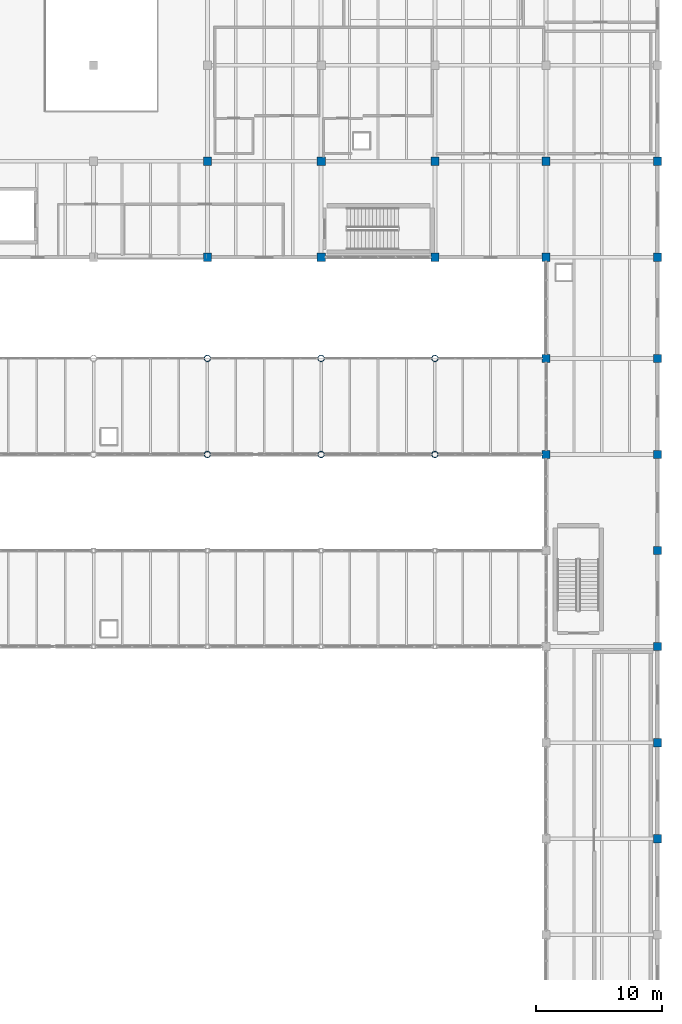
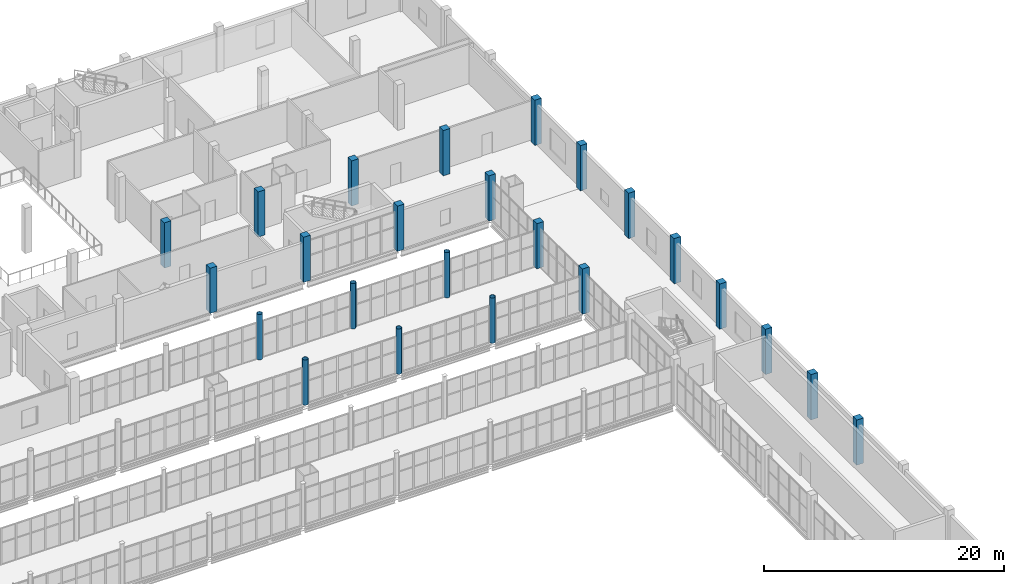
# One storey, part 15 of 172: 24 columns.
"""IFC4 building model written with IfcOpenShell, lengths in metres."""

from ifc_helpers import new_model, si_unit, direction, frame, origin, origin_2d, place, context, subcontext, project, spatial, rectangle, hollow_circle, extrude, material, material_profile, profile_set, type_object, element, save


model = new_model("IFC4")

# Units and contexts
model_context = context("Model", 3, precision=1e-05, world=origin(), true_north=direction((0.0, 1.0)))
body_context = subcontext(model_context, "Body", "Model", "MODEL_VIEW")
ifc_project = project(units=[si_unit("LENGTHUNIT", "METRE"), si_unit("AREAUNIT", "SQUARE_METRE"), si_unit("VOLUMEUNIT", "CUBIC_METRE"), si_unit("PLANEANGLEUNIT", "RADIAN"), si_unit("MASSUNIT", "GRAM", prefix="KILO")], contexts=[model_context])

# Site, building, storey
site_placement = place(None, origin())
site = spatial("IfcSite", under=ifc_project, at=site_placement, CompositionType="ELEMENT")
building_placement = place(site_placement, origin())
building = spatial("IfcBuilding", under=site, at=building_placement, Name="Shengluoqiao Park Theatre", CompositionType="ELEMENT")
storey_placement = place(building_placement, frame((0.0, 0.0, 5.39990234375)))
storey = spatial("IfcBuildingStorey", under=building, at=storey_placement, Name="L01", CompositionType="ELEMENT", Elevation=5.39990234375)

# Columns
ifc_material_1 = material(Name="Steel Q390", Category="steel")
ifc_material_profile_1 = material_profile(ifc_material_1, hollow_circle(Radius=0.25390625, WallThickness=0.02001953125, at=origin_2d()), Name="CHS 508x20")
ifc_profile_set_1 = profile_set([ifc_material_profile_1], Name="Steel Q390")
column_type_1 = type_object("IfcColumnType", Name="STR-COL-C-CHS508", PredefinedType="COLUMN", material=ifc_profile_set_1)
for number, where, z_axis, x_axis, name in (
    (1, (130.39990234375, 68.39990234375, 0.0), (0.0, 0.0, 1.0), (1.0, 0.0, 0.0), "L01 Column 0630"),
    (2, (130.39990234375, 76.0, 0.0), (0.0, 0.0, 1.0), (1.0, 0.0, 0.0), "L01 Column 0633"),
    (3, (139.39990234375, 68.39990234375, 0.0), (0.0, 0.0, 1.0), (1.0, 0.0, 0.0), "L01 Column 0675"),
    (4, (139.39990234375, 76.0, 0.0), (0.0, 0.0, 1.0), (1.0, 0.0, 0.0), "L01 Column 0678"),
    (5, (148.39990234375, 68.39990234375, 0.0), (0.0, 0.0, 1.0), (1.0, 0.0, 0.0), "L01 Column 0732"),
    (6, (148.39990234375, 76.0, 0.0), (0.0, 0.0, 1.0), (1.0, 0.0, 0.0), "L01 Column 0735"),
):
    element("IfcColumn", number, at=place(storey_placement, frame(where, z_axis=z_axis, x_axis=x_axis)), inside=storey, type_object=column_type_1, Name=name, PredefinedType="COLUMN", context=body_context, shape_type="SweptSolid", body=[
        extrude(hollow_circle(Radius=0.25390625, WallThickness=0.02001953125, at=origin_2d()), origin(), (0.0, 0.0, 1.0), 4.60009765625),
    ])
ifc_material_2 = material(Name="Concrete C40", Category="concrete")
ifc_material_profile_2 = material_profile(ifc_material_2, rectangle(XDim=0.64990234375, YDim=0.64990234375, at=origin_2d()), Name="RC 650x650")
ifc_profile_set_2 = profile_set([ifc_material_profile_2], Name="Concrete C40")
column_type_2 = type_object("IfcColumnType", Name="STR-COL-C-RC650", PredefinedType="COLUMN", material=ifc_profile_set_2)
for number, where, z_axis, x_axis, name in (
    (7, (130.39990234375, 84.0, 0.0), (0.0, 0.0, 1.0), (1.0, 0.0, 0.0), "L01 Column 0637"),
    (8, (130.39990234375, 91.60009765625, 0.0), (0.0, 0.0, 1.0), (1.0, 0.0, 0.0), "L01 Column 0644"),
    (9, (139.39990234375, 84.0, 0.0), (0.0, 0.0, 1.0), (1.0, 0.0, 0.0), "L01 Column 0682"),
    (10, (139.39990234375, 91.60009765625, 0.0), (0.0, 0.0, 1.0), (1.0, 0.0, 0.0), "L01 Column 0689"),
    (11, (148.39990234375, 84.0, 0.0), (0.0, 0.0, 1.0), (1.0, 0.0, 0.0), "L01 Column 0739"),
    (12, (148.39990234375, 91.60009765625, 0.0), (0.0, 0.0, 1.0), (1.0, 0.0, 0.0), "L01 Column 0746"),
    (13, (157.199951171875, 68.39990234375, 0.0), (0.0, 0.0, 1.0), (1.0, 0.0, 0.0), "L01 Column 0797"),
    (14, (157.199951171875, 76.0, 0.0), (0.0, 0.0, 1.0), (1.0, 0.0, 0.0), "L01 Column 0800"),
    (15, (157.199951171875, 84.0, 0.0), (0.0, 0.0, 1.0), (1.0, 0.0, 0.0), "L01 Column 0804"),
    (16, (157.199951171875, 91.60009765625, 0.0), (0.0, 0.0, 1.0), (1.0, 0.0, 0.0), "L01 Column 0810"),
    (17, (166.0, 38.0, 0.0), (0.0, 0.0, 1.0), (1.0, 0.0, 0.0), "L01 Column 0848"),
    (18, (166.0, 45.60009765625, 0.0), (0.0, 0.0, 1.0), (1.0, 0.0, 0.0), "L01 Column 0851"),
    (19, (166.0, 53.199951171875, 0.0), (0.0, 0.0, 1.0), (1.0, 0.0, 0.0), "L01 Column 0854"),
    (20, (166.0, 60.800048828125, 0.0), (0.0, 0.0, 1.0), (1.0, 0.0, 0.0), "L01 Column 0857"),
    (21, (166.0, 68.39990234375, 0.0), (0.0, 0.0, 1.0), (1.0, 0.0, 0.0), "L01 Column 0860"),
    (22, (166.0, 76.0, 0.0), (0.0, 0.0, 1.0), (1.0, 0.0, 0.0), "L01 Column 0863"),
    (23, (166.0, 84.0, 0.0), (0.0, 0.0, 1.0), (1.0, 0.0, 0.0), "L01 Column 0866"),
    (24, (166.0, 91.60009765625, 0.0), (0.0, 0.0, 1.0), (1.0, 0.0, 0.0), "L01 Column 0870"),
):
    element("IfcColumn", number, at=place(storey_placement, frame(where, z_axis=z_axis, x_axis=x_axis)), inside=storey, type_object=column_type_2, Name=name, PredefinedType="COLUMN", context=body_context, shape_type="SweptSolid", body=[
        extrude(rectangle(XDim=0.64990234375, YDim=0.64990234375, at=origin_2d()), origin(), (0.0, 0.0, 1.0), 4.60009765625),
    ])

save(model, "model.ifc")
